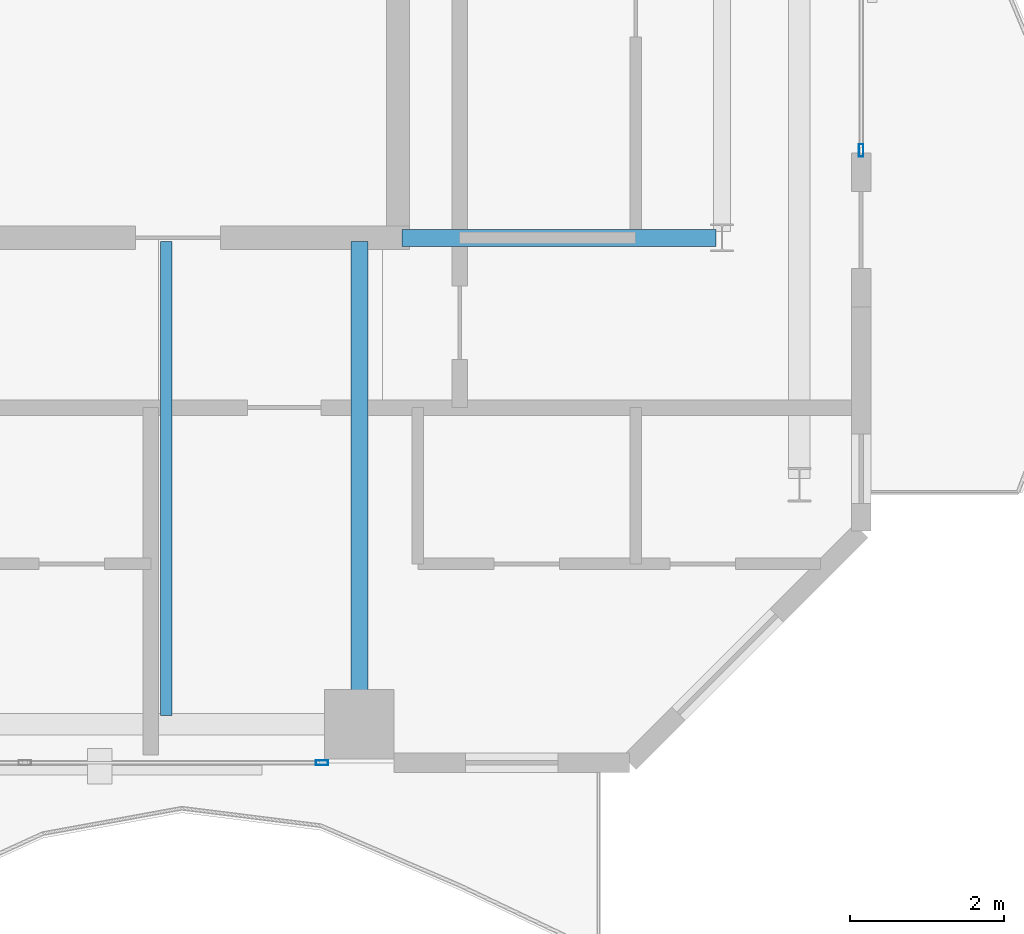
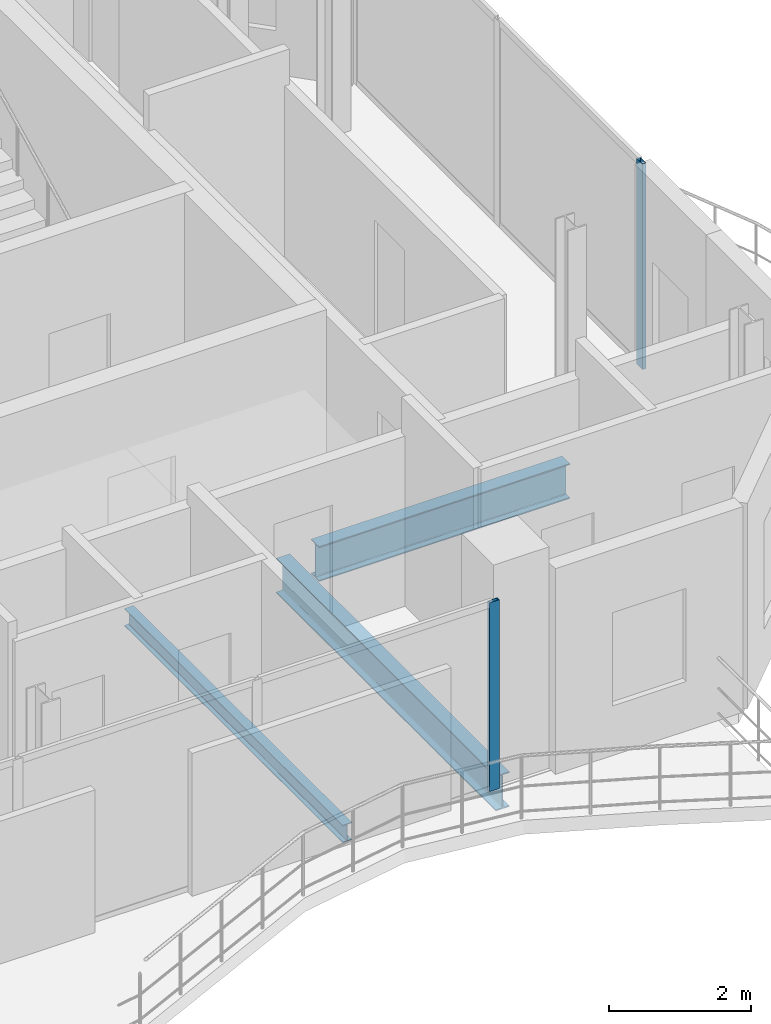
# One storey, part 14 of 22: 3 beams, 2 members, 2 elements without a shape of their own.
"""IFC4 building model written with IfcOpenShell, lengths in metres."""

from ifc_helpers import new_model, si_unit, direction, frame, origin, origin_2d, place, context, subcontext, project, spatial, hollow_rectangle, i_section, extrude, material, layer, layer_set, material_profile, profile_set, type_object, element, aggregate, save


model = new_model("IFC4")

# Units and contexts
model_context = context("Model", 3, precision=1e-05, world=origin(), true_north=direction((0.0, 1.0)))
body_context = subcontext(model_context, "Body", "Model", "MODEL_VIEW")
ifc_project = project(units=[si_unit("LENGTHUNIT", "METRE"), si_unit("AREAUNIT", "SQUARE_METRE"), si_unit("VOLUMEUNIT", "CUBIC_METRE"), si_unit("PLANEANGLEUNIT", "RADIAN"), si_unit("MASSUNIT", "GRAM", prefix="KILO")], contexts=[model_context])

# Site, building, storey
site_placement = place(None, origin())
site = spatial("IfcSite", under=ifc_project, at=site_placement, CompositionType="ELEMENT")
building_placement = place(site_placement, origin())
building = spatial("IfcBuilding", under=site, at=building_placement, Name="Catumbela Crestline Tower", CompositionType="ELEMENT")
storey_placement = place(building_placement, frame((0.0, 0.0, 233.6)))
storey = spatial("IfcBuildingStorey", under=building, at=storey_placement, Name="L60", CompositionType="ELEMENT", Elevation=233.6)

# Beams
ifc_material_1 = material(Name="Structural steel S355J2", Category="steel")
ifc_material_profile_1 = material_profile(ifc_material_1, i_section(OverallWidth=0.22, OverallDepth=0.6, WebThickness=0.012, FlangeThickness=0.019, FilletRadius=0.024, at=origin_2d()), Name="IPE 600")
ifc_profile_set_1 = profile_set([ifc_material_profile_1], Name="Structural steel S355J2")
beam_type_1 = type_object("IfcBeamType", Name="BG-IPE600", PredefinedType="BEAM", material=ifc_profile_set_1)
beam_1_placement = place(storey_placement, frame((40.05, 30.8, -0.56), z_axis=(1.0, 0.0, 0.0), x_axis=(0.0, 1.0, 0.0)))
element("IfcBeam", 1, at=beam_1_placement, inside=storey, type_object=beam_type_1, Name="L60 Beam BM-L60-M08", PredefinedType="BEAM", context=body_context, shape_type="SweptSolid", body=[
    extrude(i_section(OverallWidth=0.22, OverallDepth=0.6, WebThickness=0.012, FlangeThickness=0.019, FilletRadius=0.024, at=origin_2d()), origin(), (0.0, 0.0, 1.0), 4.07),
])
beam_2_placement = place(storey_placement, frame((39.5, 24.58, -0.56), z_axis=(0.0, 1.0, 0.0), x_axis=(-1.0, 0.0, 0.0)))
element("IfcBeam", 2, at=beam_2_placement, inside=storey, type_object=beam_type_1, Name="L60 Beam BM-L60-SNS18", PredefinedType="BEAM", context=body_context, shape_type="SweptSolid", body=[
    extrude(i_section(OverallWidth=0.22, OverallDepth=0.6, WebThickness=0.012, FlangeThickness=0.019, FilletRadius=0.024, at=origin_2d()), origin(), (0.0, 0.0, 1.0), 6.17),
])
ifc_material_profile_2 = material_profile(ifc_material_1, i_section(OverallWidth=0.15, OverallDepth=0.3, WebThickness=0.0071, FlangeThickness=0.0107, FilletRadius=0.015, at=origin_2d()), Name="IPE 300")
ifc_profile_set_2 = profile_set([ifc_material_profile_2], Name="Structural steel S355J2")
beam_type_2 = type_object("IfcBeamType", Name="BJ-IPE300", PredefinedType="JOIST", material=ifc_profile_set_2)
beam_3_placement = place(storey_placement, frame((37.0, 24.61, -0.41), z_axis=(0.0, 1.0, 0.0), x_axis=(-1.0, 0.0, 0.0)))
element("IfcBeam", 3, at=beam_3_placement, inside=storey, type_object=beam_type_2, Name="L60 Joist JS-L60-SP26", PredefinedType="JOIST", context=body_context, shape_type="SweptSolid", body=[
    extrude(i_section(OverallWidth=0.15, OverallDepth=0.3, WebThickness=0.0071, FlangeThickness=0.0107, FilletRadius=0.015, at=origin_2d()), origin(), (0.0, 0.0, 1.0), 6.14),
])

# Curtain wall, member
ifc_material_2 = material(Name="Aluminium alloy AW-6060-T66", Category="aluminium")
ifc_layer = layer(ifc_material_2, 0.18, Name="Aluminium alloy AW-6060-T66")
ifc_layer_set = layer_set([ifc_layer], Name="Aluminium alloy AW-6060-T66")
curtain_wall_type = type_object("IfcCurtainWallType", Name="CWU-Z4", PredefinedType="USERDEFINED", material=ifc_layer_set)
curtain_wall_1_placement = place(storey_placement, origin())
curtain_wall_1 = element("IfcCurtainWall", 4, at=curtain_wall_1_placement, inside=storey, type_object=curtain_wall_type, Name="L60 Unitised Curtain Wall CW-L60-E3S2", ObjectType="UNITISED", PredefinedType="USERDEFINED")
ifc_material_profile_3 = material_profile(ifc_material_2, hollow_rectangle(XDim=0.06, YDim=0.16, WallThickness=0.004, at=origin_2d()), Name="ALU 160x60x4")
ifc_profile_set_3 = profile_set([ifc_material_profile_3], Name="Aluminium alloy AW-6060-T66")
member_type = type_object("IfcMemberType", Name="MUL-160X60", PredefinedType="MULLION", material=ifc_profile_set_3)
member_1_placement = place(storey_placement, frame((39.0175, 24.0, 0.0), z_axis=(0.0, 0.0, 1.0), x_axis=(0.0, 1.0, 0.0)))
member_1 = element("IfcMember", 5, at=member_1_placement, type_object=member_type, Name="CWU-Z4 mullion 4", PredefinedType="MULLION", context=body_context, shape_type="SweptSolid", body=[
    extrude(hollow_rectangle(XDim=0.06, YDim=0.16, WallThickness=0.004, at=origin_2d()), origin(), (0.0, 0.0, 1.0), 3.24),
])
aggregate(curtain_wall_1, [member_1])

curtain_wall_2_placement = place(storey_placement, origin())
curtain_wall_2 = element("IfcCurtainWall", 6, at=curtain_wall_2_placement, inside=storey, type_object=curtain_wall_type, Name="L60 Unitised Curtain Wall CW-L60-E5S2", ObjectType="UNITISED", PredefinedType="USERDEFINED")
member_2_placement = place(storey_placement, frame((46.0, 31.9325, 0.0), z_axis=(0.0, 0.0, 1.0), x_axis=(-1.0, 0.0, 0.0)))
member_2 = element("IfcMember", 7, at=member_2_placement, type_object=member_type, Name="CWU-Z4 mullion 1", PredefinedType="MULLION", context=body_context, shape_type="SweptSolid", body=[
    extrude(hollow_rectangle(XDim=0.06, YDim=0.16, WallThickness=0.004, at=origin_2d()), origin(), (0.0, 0.0, 1.0), 3.53),
])
aggregate(curtain_wall_2, [member_2])

save(model, "model.ifc")
